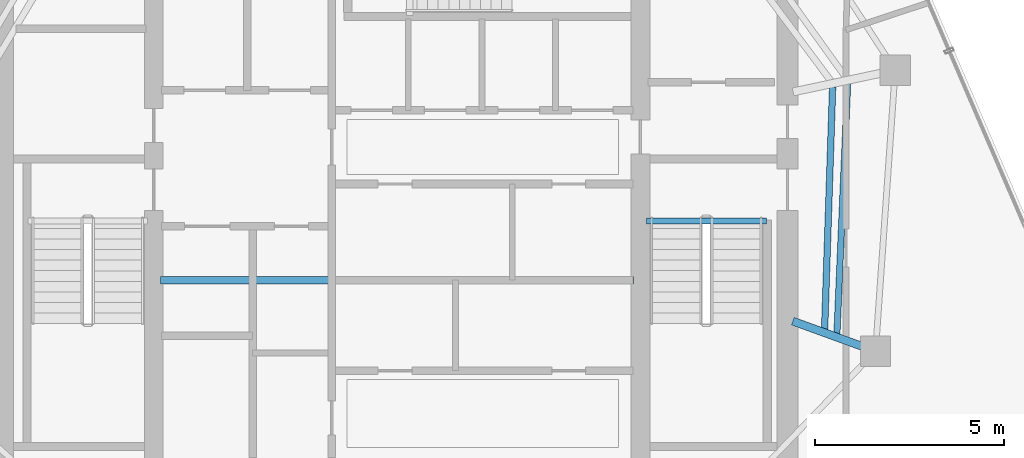
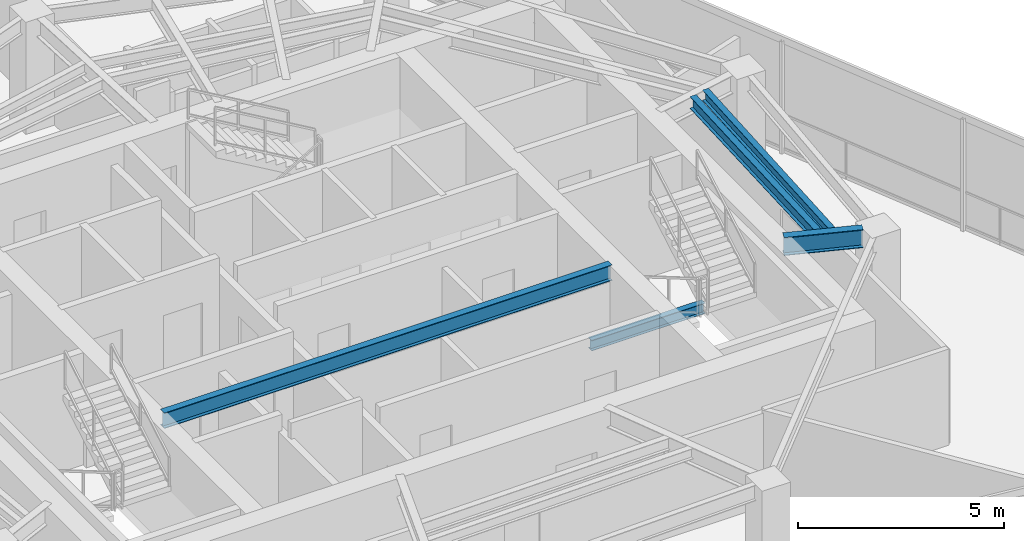
# One storey, part 5 of 18: 5 beams.
"""IFC4 building model written with IfcOpenShell, lengths in metres."""

from ifc_helpers import new_model, si_unit, direction, frame, origin, origin_2d, place, context, subcontext, project, spatial, i_section, extrude, material, material_profile, profile_set, type_object, element, save


model = new_model("IFC4")

# Units and contexts
model_context = context("Model", 3, precision=1e-05, world=origin(), true_north=direction((0.0, 1.0)))
body_context = subcontext(model_context, "Body", "Model", "MODEL_VIEW")
ifc_project = project(units=[si_unit("LENGTHUNIT", "METRE"), si_unit("AREAUNIT", "SQUARE_METRE"), si_unit("VOLUMEUNIT", "CUBIC_METRE"), si_unit("PLANEANGLEUNIT", "RADIAN"), si_unit("MASSUNIT", "GRAM", prefix="KILO")], contexts=[model_context])

# Site, building, storey
site_placement = place(None, origin())
site = spatial("IfcSite", under=ifc_project, at=site_placement, CompositionType="ELEMENT")
building_placement = place(site_placement, origin())
building = spatial("IfcBuilding", under=site, at=building_placement, Name="Qarnah Convention Tower", CompositionType="ELEMENT")
storey_placement = place(building_placement, frame((0.0, 0.0, 267.89990234375)))
storey = spatial("IfcBuildingStorey", under=building, at=storey_placement, Name="L72", CompositionType="ELEMENT", Elevation=267.89990234375)

# Beams
ifc_material = material(Name="Structural steel S355JR", Category="steel")
ifc_material_profile_1 = material_profile(ifc_material, i_section(OverallWidth=0.19189453125, OverallDepth=0.464111328125, WebThickness=0.010986328125, FlangeThickness=0.01806640625, at=origin_2d()), Name="W460X89")
ifc_profile_set_1 = profile_set([ifc_material_profile_1], Name="Structural steel S355JR")
beam_type_1 = type_object("IfcBeamType", Name="BM-CANT-W460A", PredefinedType="BEAM", material=ifc_profile_set_1)
beam_1_placement = place(storey_placement, frame((30.97998046875, 23.64990234375, 3.088134765625), z_axis=(1.0, 0.0, 0.0), x_axis=(0.0, 1.0, 0.0)))
element("IfcBeam", 1, at=beam_1_placement, inside=storey, type_object=beam_type_1, Name="L72 beam BM-L72-KC1", PredefinedType="BEAM", context=body_context, shape_type="SweptSolid", body=[
    extrude(i_section(OverallWidth=0.19189453125, OverallDepth=0.464111328125, WebThickness=0.010986328125, FlangeThickness=0.01806640625, at=origin_2d()), origin(), (0.0, 0.0, 1.0), 12.5400390625),
])
ifc_material_profile_2 = material_profile(ifc_material, i_section(OverallWidth=0.166015625, OverallDepth=0.31201171875, WebThickness=0.007080078125, FlangeThickness=0.010986328125, at=origin_2d()), Name="W310X45")
ifc_profile_set_2 = profile_set([ifc_material_profile_2], Name="Structural steel S355JR")
beam_type_2 = type_object("IfcBeamType", Name="BM-JST-W310", PredefinedType="JOIST", material=ifc_profile_set_2)
beam_2_placement = place(storey_placement, frame((43.860107421875, 25.217041015625, -0.156005859375), z_axis=(1.0, 0.0, 0.0), x_axis=(0.0, 1.0, 0.0)))
element("IfcBeam", 2, at=beam_2_placement, inside=storey, type_object=beam_type_2, Name="L72 stair landing trimmer beam BM-L72-ST2-TRM", PredefinedType="BEAM", context=body_context, shape_type="SweptSolid", body=[
    extrude(i_section(OverallWidth=0.166015625, OverallDepth=0.31201171875, WebThickness=0.007080078125, FlangeThickness=0.010986328125, at=origin_2d()), origin(), (0.0, 0.0, 1.0), 3.179931640625),
])
beam_3_placement = place(storey_placement, frame((48.909912109375, 22.22998046875, 3.1640625), z_axis=(0.042822559752, 0.999082693462, 0.0), x_axis=(-0.999082693462, 0.042822559752, 0.0)))
element("IfcBeam", 3, at=beam_3_placement, inside=storey, type_object=beam_type_2, Name="L72 joist BM-L72-SJST-09", PredefinedType="JOIST", context=body_context, shape_type="SweptSolid", body=[
    extrude(i_section(OverallWidth=0.166015625, OverallDepth=0.31201171875, WebThickness=0.007080078125, FlangeThickness=0.010986328125, at=origin_2d()), origin(), (0.0, 0.0, 1.0), 6.63623046875),
])
ifc_material_profile_3 = material_profile(ifc_material, i_section(OverallWidth=0.172119140625, OverallDepth=0.35595703125, WebThickness=0.007080078125, FlangeThickness=0.011962890625, at=origin_2d()), Name="W360X51")
ifc_profile_set_3 = profile_set([ifc_material_profile_3], Name="Structural steel S355JR")
beam_type_3 = type_object("IfcBeamType", Name="BM-JST-W360", PredefinedType="JOIST", material=ifc_profile_set_3)
beam_4_placement = place(storey_placement, frame((48.5830078125, 22.347900390625, 3.14208984375), z_axis=(0.033106248914, 0.999451837901, 0.0), x_axis=(-0.999451837901, 0.033106248914, 0.0)))
element("IfcBeam", 4, at=beam_4_placement, inside=storey, type_object=beam_type_3, Name="L72 joist BM-L72-IJST-09", PredefinedType="JOIST", context=body_context, shape_type="SweptSolid", body=[
    extrude(i_section(OverallWidth=0.172119140625, OverallDepth=0.35595703125, WebThickness=0.007080078125, FlangeThickness=0.011962890625, at=origin_2d()), origin(), (0.0, 0.0, 1.0), 6.430419921875),
])
ifc_material_profile_4 = material_profile(ifc_material, i_section(OverallWidth=0.2119140625, OverallDepth=0.5400390625, WebThickness=0.011962890625, FlangeThickness=0.01904296875, at=origin_2d()), Name="W530X109")
ifc_profile_set_4 = profile_set([ifc_material_profile_4], Name="Structural steel S355JR")
beam_type_4 = type_object("IfcBeamType", Name="BM-RAD-W530A", PredefinedType="BEAM", material=ifc_profile_set_4)
beam_5_placement = place(storey_placement, frame((47.740966796875, 22.56396484375, 3.050048828125), z_axis=(0.93967655832, -0.342064271363, 0.0), x_axis=(0.342064271363, 0.93967655832, 0.0)))
element("IfcBeam", 5, at=beam_5_placement, inside=storey, type_object=beam_type_4, Name="L72 beam BM-L72-RAD-09", PredefinedType="BEAM", context=body_context, shape_type="SweptSolid", body=[
    extrude(i_section(OverallWidth=0.2119140625, OverallDepth=0.5400390625, WebThickness=0.011962890625, FlangeThickness=0.01904296875, at=origin_2d()), origin(), (0.0, 0.0, 1.0), 1.95263671875),
])

save(model, "model.ifc")
